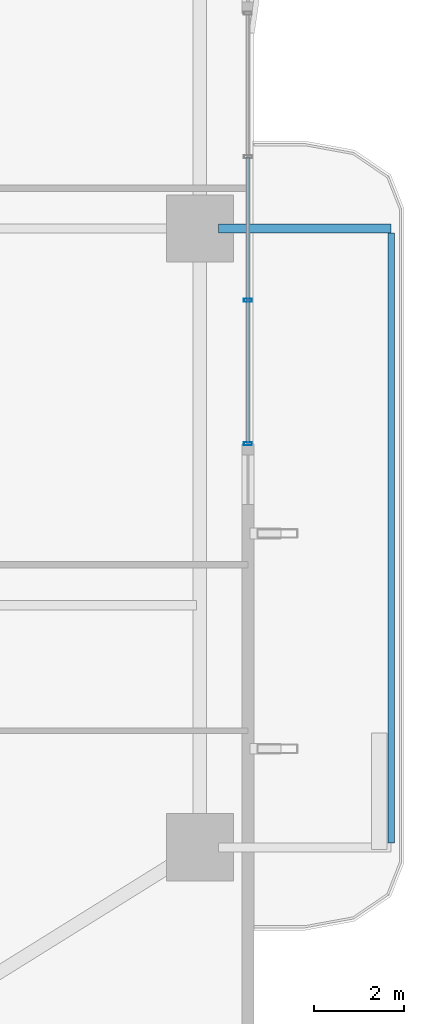
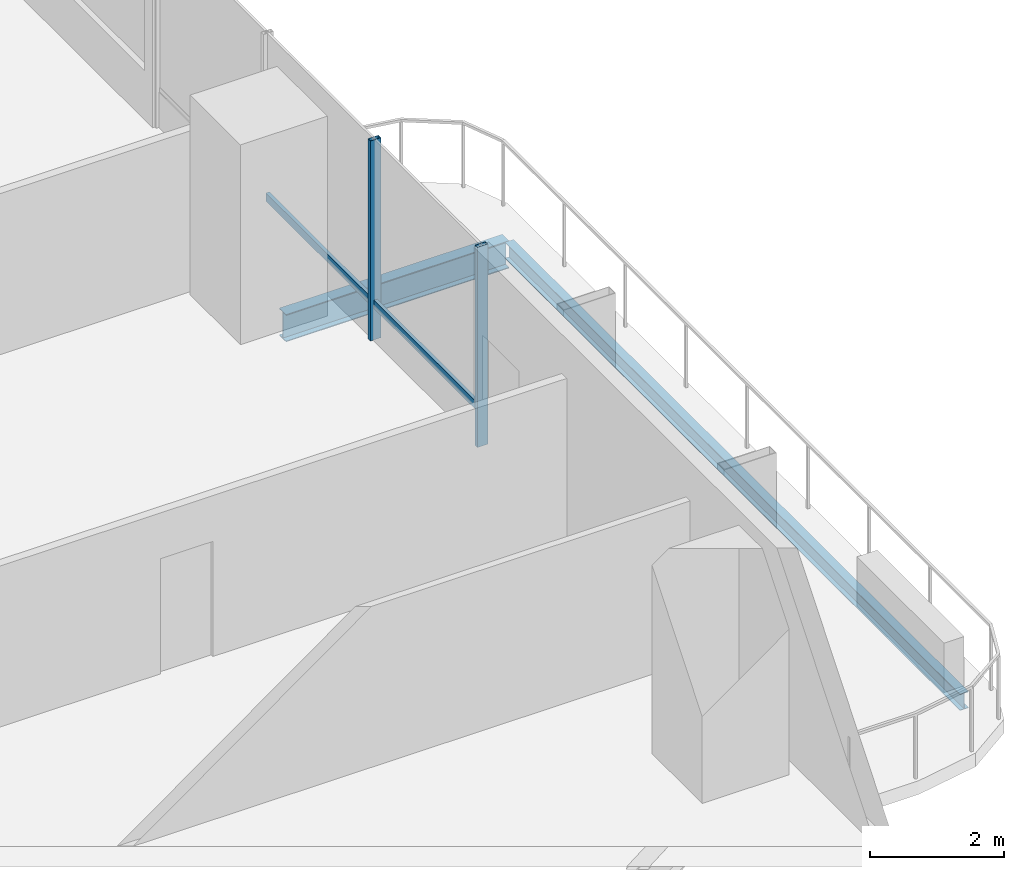
# One storey, part 8 of 23: 4 members, 2 beams, 1 element without a shape of its own.
"""IFC4 building model written with IfcOpenShell, lengths in metres."""

from ifc_helpers import new_model, si_unit, direction, frame, origin, origin_2d, place, context, subcontext, project, spatial, hollow_rectangle, i_section, extrude, material, layer, layer_set, material_profile, profile_set, type_object, element, aggregate, save


model = new_model("IFC4")

# Units and contexts
model_context = context("Model", 3, precision=1e-05, world=origin(), true_north=direction((0.0, 1.0)))
body_context = subcontext(model_context, "Body", "Model", "MODEL_VIEW")
ifc_project = project(units=[si_unit("LENGTHUNIT", "METRE"), si_unit("AREAUNIT", "SQUARE_METRE"), si_unit("VOLUMEUNIT", "CUBIC_METRE"), si_unit("PLANEANGLEUNIT", "RADIAN"), si_unit("MASSUNIT", "GRAM", prefix="KILO")], contexts=[model_context])

# Site, building, storey
site_placement = place(None, origin())
site = spatial("IfcSite", under=ifc_project, at=site_placement, CompositionType="ELEMENT")
building_placement = place(site_placement, origin())
building = spatial("IfcBuilding", under=site, at=building_placement, Name="Belovzor Exchange Tower", CompositionType="ELEMENT")
storey_placement = place(building_placement, frame((0.0, 0.0, 100.199951171875)))
storey = spatial("IfcBuildingStorey", under=building, at=storey_placement, Name="L24", CompositionType="ELEMENT", Elevation=100.199951171875)

# Beams
ifc_material_1 = material(Name="Steel S355", Category="steel")
ifc_material_profile_1 = material_profile(ifc_material_1, i_section(OverallWidth=0.199951171875, OverallDepth=0.5, WebThickness=0.01025390625, FlangeThickness=0.01611328125, at=origin_2d()))
ifc_profile_set_1 = profile_set([ifc_material_profile_1], Name="Steel S355")
beam_type_1 = type_object("IfcBeamType", Name="Planted Balcony Cantilever Beam IPE 500", PredefinedType="BEAM", material=ifc_profile_set_1)
beam_1_placement = place(storey_placement, frame((55.9130859375, 28.800048828125, -0.5), z_axis=(1.0, 0.0, 0.0), x_axis=(0.0, 1.0, 0.0)))
element("IfcBeam", 1, at=beam_1_placement, inside=storey, type_object=beam_type_1, Name="BC-500 Planted Balcony Cantilever Beam IPE 500", PredefinedType="BEAM", context=body_context, shape_type="SweptSolid", body=[
    extrude(i_section(OverallWidth=0.199951171875, OverallDepth=0.5, WebThickness=0.01025390625, FlangeThickness=0.01611328125, at=origin_2d()), origin(), (0.0, 0.0, 1.0), 3.849853515625),
])
ifc_material_2 = material(Name="Steel S355", Category="steel")
ifc_material_profile_2 = material_profile(ifc_material_2, i_section(OverallWidth=0.14990234375, OverallDepth=0.300048828125, WebThickness=0.007080078125, FlangeThickness=0.0107421875, at=origin_2d()))
ifc_profile_set_2 = profile_set([ifc_material_profile_2], Name="Steel S355")
beam_type_2 = type_object("IfcBeamType", Name="Planted Balcony Fascia Edge Beam IPE 300", PredefinedType="BEAM", material=ifc_profile_set_2)
beam_2_placement = place(storey_placement, frame((59.762939453125, 15.10009765625, -0.39990234375), z_axis=(0.0, 1.0, 0.0), x_axis=(-1.0, 0.0, 0.0)))
element("IfcBeam", 2, at=beam_2_placement, inside=storey, type_object=beam_type_2, Name="BC-300 Planted Balcony Fascia Edge Beam IPE 300", PredefinedType="BEAM", context=body_context, shape_type="SweptSolid", body=[
    extrude(i_section(OverallWidth=0.14990234375, OverallDepth=0.300048828125, WebThickness=0.007080078125, FlangeThickness=0.0107421875, at=origin_2d()), origin(), (0.0, 0.0, 1.0), 13.599853515625),
])

# Curtain wall, members
ifc_material_3 = material(Name="Anodised Aluminium Framing", Category="aluminium")
ifc_layer = layer(ifc_material_3, 0.179931640625)
ifc_layer_set = layer_set([ifc_layer], Name="Anodised Aluminium Framing")
curtain_wall_type = type_object("IfcCurtainWallType", Name="Recessed Loggia Low-Iron Triple-Glazed Curtain Wall", PredefinedType="NOTDEFINED", material=ifc_layer_set)
curtain_wall_placement = place(storey_placement, origin())
curtain_wall = element("IfcCurtainWall", 3, at=curtain_wall_placement, inside=storey, type_object=curtain_wall_type, Name="CW3 Recessed Loggia Low-Iron Triple-Glazed Curtain Wall L24", PredefinedType="NOTDEFINED")
ifc_material_4 = material(Name="Steel S355", Category="steel")
ifc_material_profile_3 = material_profile(ifc_material_4, hollow_rectangle(XDim=0.074951171875, YDim=0.179931640625, WallThickness=0.0048828125, at=origin_2d()))
ifc_profile_set_3 = profile_set([ifc_material_profile_3], Name="Steel S355")
member_type_1 = type_object("IfcMemberType", Name="Thermally Broken Curtain Wall Mullion 180x75", PredefinedType="MULLION", material=ifc_profile_set_3)
member_1_placement = place(storey_placement, frame((56.570068359375, 27.199951171875, 0.0), z_axis=(0.0, 0.0, 1.0), x_axis=(0.0, -1.0, 0.0)))
member_1 = element("IfcMember", 4, at=member_1_placement, type_object=member_type_1, Name="CW-M180 Curtain Wall Mullion 3", PredefinedType="MULLION", context=body_context, shape_type="SweptSolid", body=[
    extrude(hollow_rectangle(XDim=0.074951171875, YDim=0.179931640625, WallThickness=0.0048828125, at=origin_2d()), origin(), (0.0, 0.0, 1.0), 3.650146484375),
])
member_2_placement = place(storey_placement, frame((56.570068359375, 24.0, 0.0), z_axis=(0.0, 0.0, 1.0), x_axis=(0.0, -1.0, 0.0)))
member_2 = element("IfcMember", 5, at=member_2_placement, type_object=member_type_1, Name="CW-M180 Curtain Wall Mullion 4", PredefinedType="MULLION", context=body_context, shape_type="SweptSolid", body=[
    extrude(hollow_rectangle(XDim=0.074951171875, YDim=0.179931640625, WallThickness=0.0048828125, at=origin_2d()), origin(), (0.0, 0.0, 1.0), 3.650146484375),
])
ifc_material_5 = material(Name="Steel S355", Category="steel")
ifc_material_profile_4 = material_profile(ifc_material_5, hollow_rectangle(XDim=0.06005859375, YDim=0.14990234375, WallThickness=0.00390625, at=origin_2d()))
ifc_profile_set_4 = profile_set([ifc_material_profile_4], Name="Steel S355")
member_type_2 = type_object("IfcMemberType", Name="Thermally Broken Curtain Wall Transom 150x60", PredefinedType="USERDEFINED", material=ifc_profile_set_4)
member_3_placement = place(storey_placement, frame((56.570068359375, 30.39208984375, 0.650146484375), z_axis=(0.0, -1.0, 0.0), x_axis=(1.0, 0.0, 0.0)))
member_3 = element("IfcMember", 6, at=member_3_placement, type_object=member_type_2, Name="CW-T150 Curtain Wall Transom 2", ObjectType="TRANSOM", PredefinedType="USERDEFINED", context=body_context, shape_type="SweptSolid", body=[
    extrude(hollow_rectangle(XDim=0.06005859375, YDim=0.14990234375, WallThickness=0.00390625, at=origin_2d()), origin(), (0.0, 0.0, 1.0), 3.18408203125),
])
member_4_placement = place(storey_placement, frame((56.570068359375, 27.19189453125, 0.650146484375), z_axis=(0.0, -1.0, 0.0), x_axis=(1.0, 0.0, 0.0)))
member_4 = element("IfcMember", 7, at=member_4_placement, type_object=member_type_2, Name="CW-T150 Curtain Wall Transom 3", ObjectType="TRANSOM", PredefinedType="USERDEFINED", context=body_context, shape_type="SweptSolid", body=[
    extrude(hollow_rectangle(XDim=0.06005859375, YDim=0.14990234375, WallThickness=0.00390625, at=origin_2d()), origin(), (0.0, 0.0, 1.0), 3.183837890625),
])
aggregate(curtain_wall, [member_1, member_2, member_3, member_4])

save(model, "model.ifc")
